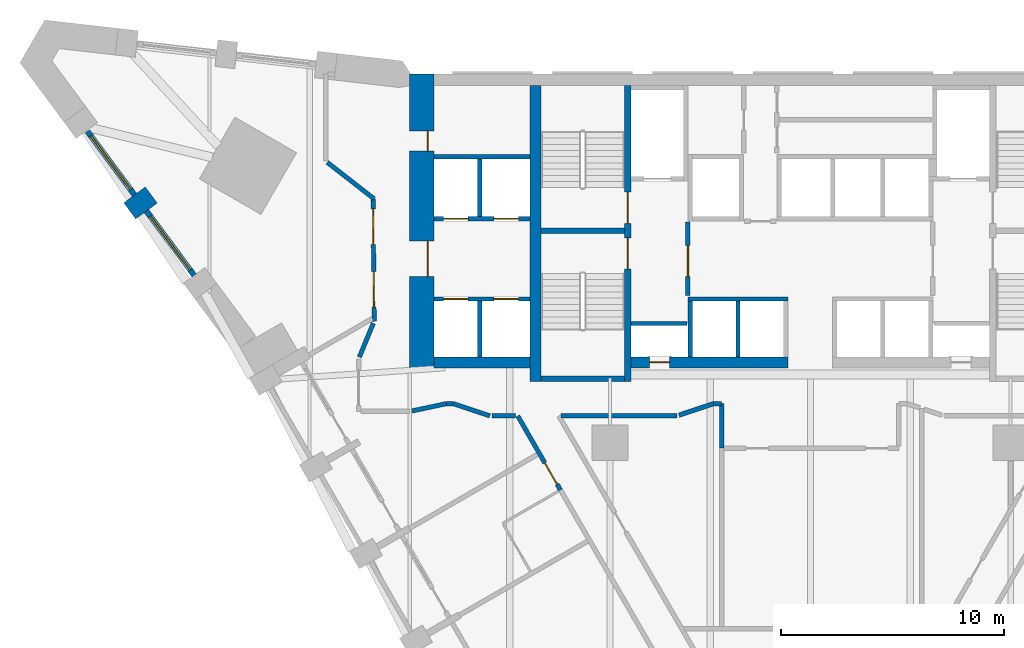
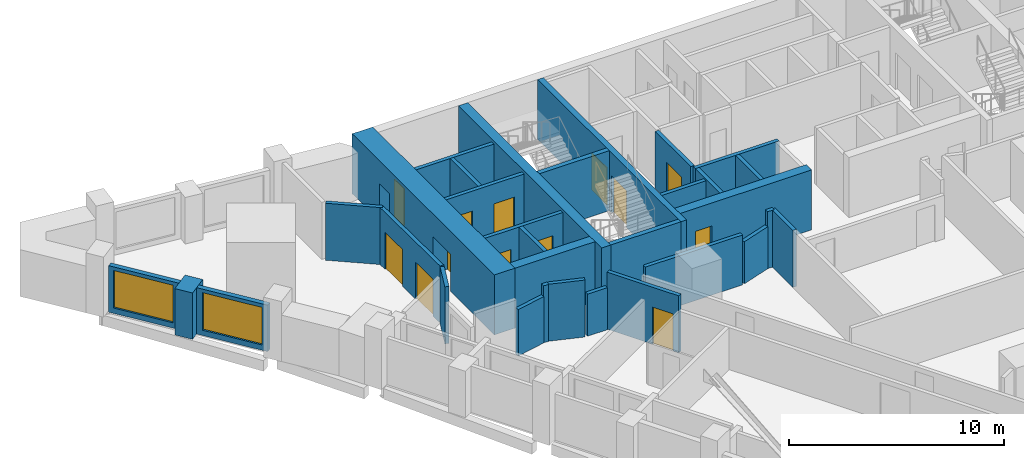
# One storey, part 5 of 10: 32 walls, 13 doors, 2 windows, 15 openings.
"""IFC4 building model written with IfcOpenShell, lengths in metres."""

from ifc_helpers import new_model, si_unit, direction, frame, frame_2d, origin, place, context, subcontext, project, spatial, rectangle, extrude, material, layer, layer_set, type_object, element, fill, save


model = new_model("IFC4")

# Units and contexts
model_context = context("Model", 3, precision=1e-05, world=origin(), true_north=direction((0.0, 1.0)))
body_context = subcontext(model_context, "Body", "Model", "MODEL_VIEW")
ifc_project = project(units=[si_unit("LENGTHUNIT", "METRE"), si_unit("AREAUNIT", "SQUARE_METRE"), si_unit("VOLUMEUNIT", "CUBIC_METRE"), si_unit("PLANEANGLEUNIT", "RADIAN"), si_unit("MASSUNIT", "GRAM", prefix="KILO")], contexts=[model_context])

# Site, building, storey
site_placement = place(None, origin())
site = spatial("IfcSite", under=ifc_project, at=site_placement, CompositionType="ELEMENT")
building_placement = place(site_placement, origin())
building = spatial("IfcBuilding", under=site, at=building_placement, Name="Calabash Gate Tower", CompositionType="ELEMENT")
storey_placement = place(building_placement, frame((0.0, 0.0, 59.60009765625)))
storey = spatial("IfcBuildingStorey", under=building, at=storey_placement, Name="L10", CompositionType="ELEMENT", Elevation=59.60009765625)

# Wall
ifc_material_1 = material(Name="Terracotta brick masonry, exposed face", Category="masonry")
ifc_layer_1 = layer(ifc_material_1, 1.199951171875)
ifc_layer_set_1 = layer_set([ifc_layer_1], Name="Brick end wall 1200")
wall_type_1 = type_object("IfcWallType", Name="Brick end wall 1200", PredefinedType="SOLIDWALL", material=ifc_layer_set_1)
wall_1_placement = place(storey_placement, frame((-30.581787109375, 12.91015625, 0.0), z_axis=(0.0, 0.0, 1.0), x_axis=(0.803549985832, 0.595237280644, 0.0)))
element("IfcWall", 1, at=wall_1_placement, inside=storey, type_object=wall_type_1, Name="Brick pier S02 wedge7.1", PredefinedType="SOLIDWALL", context=body_context, shape_type="SweptSolid", body=[
    extrude(rectangle(XDim=1.2001953125, YDim=0.89990234375, at=frame_2d((0.60009765625, 0.0))), origin(), (0.0, 0.0, 1.0), 2.6298828125),
])

# Wall, openings, doors
ifc_material_2 = material(Name="Concrete C80/95", Category="concrete")
ifc_layer_2 = layer(ifc_material_2, 1.10009765625)
ifc_layer_set_2 = layer_set([ifc_layer_2], Name="Core wall 1100 Concrete C80/95")
wall_type_2 = type_object("IfcWallType", Name="Core wall 1100 Concrete C80/95", PredefinedType="SHEAR", material=ifc_layer_set_2)
wall_2_placement = place(storey_placement, frame((-17.449951171875, 5.8525390625, 0.0), z_axis=(0.0, 0.0, 1.0), x_axis=(0.0, 1.0, 0.0)))
wall_2 = element("IfcWall", 2, at=wall_2_placement, inside=storey, type_object=wall_type_2, Name="Core wall Z1-ENDW L10", PredefinedType="SHEAR", context=body_context, shape_type="SweptSolid", body=[
    extrude(rectangle(XDim=13.199951171875, YDim=1.10009765625, at=frame_2d((6.60009765625, 0.0))), origin(), (0.0, 0.0, 1.0), 3.39990234375),
])
opening_1_placement = place(wall_2_placement, frame((4.10009765625, 0.0, 0.0)))
opening_1 = element("IfcOpeningElement", 3, at=opening_1_placement, cuts=wall_2, Name="Opening H2-003", PredefinedType="OPENING", context=body_context, shape_type="SweptSolid", body=[
    extrude(rectangle(XDim=1.60009765625, YDim=2.10009765625, at=frame_2d((0.800048828125, 1.050048828125))), frame((0.0, 0.56005859375, 0.0), z_axis=(0.0, -1.0, 0.0), x_axis=(1.0, 0.0, 0.0)), (0.0, 0.0, 1.0), 1.1201171875),
])
opening_2_placement = place(wall_2_placement, frame((9.75, 0.0, 0.0)))
opening_2 = element("IfcOpeningElement", 4, at=opening_2_placement, cuts=wall_2, Name="Opening H2-004", PredefinedType="OPENING", context=body_context, shape_type="SweptSolid", body=[
    extrude(rectangle(XDim=0.89990234375, YDim=2.10009765625, at=frame_2d((0.449951171875, 1.050048828125))), frame((0.0, 0.56005859375, 0.0), z_axis=(0.0, -1.0, 0.0), x_axis=(1.0, 0.0, 0.0)), (0.0, 0.0, 1.0), 1.1201171875),
])
ifc_material_3 = material(Name="Steel fire door set with fire-resisting glazing", Category="steel")
door_type_1 = type_object("IfcDoorType", Name="Double fire door D08 1600x2100 FD60", OperationType="DOUBLE_DOOR_SINGLE_SWING", PredefinedType="DOOR", material=ifc_material_3)
door_1_placement = place(opening_1_placement, origin())
door_1 = element("IfcDoor", 5, at=door_1_placement, inside=storey, type_object=door_type_1, Name="Low-rise Lift Lobby W door", OperationType="DOUBLE_DOOR_SINGLE_SWING", OverallHeight=2.10009765625, OverallWidth=1.60009765625, PredefinedType="DOOR", context=body_context, shape_type="SweptSolid", body=[
    extrude(rectangle(XDim=1.60009765625, YDim=2.10009765625, at=frame_2d((0.800048828125, 1.050048828125))), frame((0.0, -0.22509765625, 0.0), z_axis=(0.0, -1.0, 0.0), x_axis=(1.0, 0.0, 0.0)), (0.0, 0.0, 1.0), 0.050048828125),
])
fill(opening_1, door_1)
ifc_material_4 = material(Name="Steel fire door set with fire-resisting glazing", Category="steel")
door_type_2 = type_object("IfcDoorType", Name="Fire door D06 900x2100 FD60", OperationType="NOTDEFINED", PredefinedType="DOOR", material=ifc_material_4)
door_2_placement = place(opening_2_placement, origin())
door_2 = element("IfcDoor", 6, at=door_2_placement, inside=storey, type_object=door_type_2, Name="Luggage Store door", OperationType="SINGLE_SWING_RIGHT", OverallHeight=2.10009765625, OverallWidth=0.89990234375, PredefinedType="DOOR", context=body_context, shape_type="SweptSolid", body=[
    extrude(rectangle(XDim=0.89990234375, YDim=2.10009765625, at=frame_2d((0.449951171875, 1.050048828125))), frame((0.0, -0.22509765625, 0.0), z_axis=(0.0, -1.0, 0.0), x_axis=(1.0, 0.0, 0.0)), (0.0, 0.0, 1.0), 0.050048828125),
])
fill(opening_2, door_2)

# Walls
ifc_material_5 = material(Name="Concrete C80/95", Category="concrete")
ifc_layer_3 = layer(ifc_material_5, 0.25)
ifc_layer_set_3 = layer_set([ifc_layer_3], Name="Core wall 250 Concrete C80/95")
wall_type_3 = type_object("IfcWallType", Name="Core wall 250 Concrete C80/95", PredefinedType="SHEAR", material=ifc_layer_set_3)
for number, where, z_axis, x_axis, name in (
    (7, (-12.10009765625, 12.027587890625, 0.0), (0.0, 0.0, 1.0), (1.0, 0.0, 0.0), "Core wall Z1-MIDW L10"),
    (8, (-12.10009765625, 5.377685546875, 0.0), (0.0, 0.0, 1.0), (1.0, 0.0, 0.0), "Core wall Z1-SSW L10"),
):
    element("IfcWall", number, at=place(storey_placement, frame(where, z_axis=z_axis, x_axis=x_axis)), inside=storey, type_object=wall_type_3, Name=name, PredefinedType="SHEAR", context=body_context, shape_type="SweptSolid", body=[
        extrude(rectangle(XDim=3.75, YDim=0.25, at=frame_2d((1.875, 0.0))), origin(), (0.0, 0.0, 1.0), 3.39990234375),
    ])

# Wall, openings, doors
ifc_material_6 = material(Name="Concrete C80/95", Category="concrete")
ifc_layer_4 = layer(ifc_material_6, 0.300048828125)
ifc_layer_set_4 = layer_set([ifc_layer_4], Name="Core wall 300 Concrete C80/95")
wall_type_4 = type_object("IfcWallType", Name="Core wall 300 Concrete C80/95", PredefinedType="SHEAR", material=ifc_layer_set_4)
wall_3_placement = place(storey_placement, frame((-8.199951171875, 5.252685546875, 0.0), z_axis=(0.0, 0.0, 1.0), x_axis=(0.0, 1.0, 0.0)))
wall_3 = element("IfcWall", 9, at=wall_3_placement, inside=storey, type_object=wall_type_4, Name="Core wall Z1-PARTW L10", PredefinedType="SHEAR", context=body_context, shape_type="SweptSolid", body=[
    extrude(rectangle(XDim=13.2998046875, YDim=0.300048828125, at=frame_2d((6.64990234375, 0.0))), origin(), (0.0, 0.0, 1.0), 3.39990234375),
])
opening_3_placement = place(wall_3_placement, frame((7.10009765625, 0.0, 0.0)))
opening_3 = element("IfcOpeningElement", 10, at=opening_3_placement, cuts=wall_3, Name="Opening H2-013", PredefinedType="OPENING", context=body_context, shape_type="SweptSolid", body=[
    extrude(rectangle(XDim=1.39990234375, YDim=2.10009765625, at=frame_2d((0.699951171875, 1.050048828125))), frame((0.0, 0.159912109375, 0.0), z_axis=(0.0, -1.0, 0.0), x_axis=(1.0, 0.0, 0.0)), (0.0, 0.0, 1.0), 0.320068359375),
])
opening_4_placement = place(wall_3_placement, frame((5.050048828125, 0.0, 0.0)))
opening_4 = element("IfcOpeningElement", 11, at=opening_4_placement, cuts=wall_3, Name="Opening H2-014", PredefinedType="OPENING", context=body_context, shape_type="SweptSolid", body=[
    extrude(rectangle(XDim=1.39990234375, YDim=2.10009765625, at=frame_2d((0.699951171875, 1.050048828125))), frame((0.0, 0.159912109375, 0.0), z_axis=(0.0, -1.0, 0.0), x_axis=(1.0, 0.0, 0.0)), (0.0, 0.0, 1.0), 0.320068359375),
])
ifc_material_7 = material(Name="Steel fire door set with fire-resisting glazing", Category="steel")
door_type_3 = type_object("IfcDoorType", Name="Fire door D05 1400x2100 FD90", OperationType="NOTDEFINED", PredefinedType="DOOR", material=ifc_material_7)
door_3_placement = place(opening_3_placement, origin())
door_3 = element("IfcDoor", 12, at=door_3_placement, inside=storey, type_object=door_type_3, Name="Exit stair door ST1", OperationType="SINGLE_SWING_LEFT", OverallHeight=2.10009765625, OverallWidth=1.39990234375, PredefinedType="DOOR", context=body_context, shape_type="SweptSolid", body=[
    extrude(rectangle(XDim=1.39990234375, YDim=2.10009765625, at=frame_2d((0.699951171875, 1.050048828125))), frame((0.0, 0.02490234375, 0.0), z_axis=(0.0, -1.0, 0.0), x_axis=(1.0, 0.0, 0.0)), (0.0, 0.0, 1.0), 0.050048828125),
])
fill(opening_3, door_3)
door_4_placement = place(opening_4_placement, origin())
door_4 = element("IfcDoor", 13, at=door_4_placement, inside=storey, type_object=door_type_3, Name="Exit stair door ST2", OperationType="SINGLE_SWING_LEFT", OverallHeight=2.10009765625, OverallWidth=1.39990234375, PredefinedType="DOOR", context=body_context, shape_type="SweptSolid", body=[
    extrude(rectangle(XDim=1.39990234375, YDim=2.10009765625, at=frame_2d((0.699951171875, 1.050048828125))), frame((0.0, 0.02490234375, 0.0), z_axis=(0.0, -1.0, 0.0), x_axis=(1.0, 0.0, 0.0)), (0.0, 0.0, 1.0), 0.050048828125),
])
fill(opening_4, door_4)

# Wall
ifc_material_8 = material(Name="Concrete C80/95", Category="concrete")
ifc_layer_5 = layer(ifc_material_8, 0.5)
ifc_layer_set_5 = layer_set([ifc_layer_5], Name="Core wall 500 Concrete C80/95")
wall_type_5 = type_object("IfcWallType", Name="Core wall 500 Concrete C80/95", PredefinedType="SHEAR", material=ifc_layer_set_5)
wall_4_placement = place(storey_placement, frame((-12.35009765625, 5.252685546875, 0.0), z_axis=(0.0, 0.0, 1.0), x_axis=(0.0, 1.0, 0.0)))
element("IfcWall", 14, at=wall_4_placement, inside=storey, type_object=wall_type_5, Name="Core wall Z1-COLW L10", PredefinedType="SHEAR", context=body_context, shape_type="SweptSolid", body=[
    extrude(rectangle(XDim=13.2998046875, YDim=0.5, at=frame_2d((6.64990234375, 0.0))), origin(), (0.0, 0.0, 1.0), 3.39990234375),
])

# Wall, opening, door
wall_5_placement = place(storey_placement, frame((-8.050048828125, 6.1025390625, 0.0), z_axis=(0.0, 0.0, 1.0), x_axis=(1.0, 0.0, 0.0)))
wall_5 = element("IfcWall", 15, at=wall_5_placement, inside=storey, type_object=wall_type_5, Name="Core wall Z1-SA L10", PredefinedType="SHEAR", context=body_context, shape_type="SweptSolid", body=[
    extrude(rectangle(XDim=7.050048828125, YDim=0.5, at=frame_2d((3.52490234375, 0.0))), origin(), (0.0, 0.0, 1.0), 3.39990234375),
])
opening_5_placement = place(wall_5_placement, frame((0.824951171875, 0.0, 0.0)))
opening_5 = element("IfcOpeningElement", 16, at=opening_5_placement, cuts=wall_5, Name="Opening H2-012", PredefinedType="OPENING", context=body_context, shape_type="SweptSolid", body=[
    extrude(rectangle(XDim=0.89990234375, YDim=2.10009765625, at=frame_2d((0.449951171875, 1.050048828125))), frame((0.0, 0.260009765625, 0.0), z_axis=(0.0, -1.0, 0.0), x_axis=(1.0, 0.0, 0.0)), (0.0, 0.0, 1.0), 0.52001953125),
])
ifc_material_9 = material(Name="Steel fire door set with fire-resisting glazing", Category="steel")
door_type_4 = type_object("IfcDoorType", Name="Fire door D07 900x2100 FD90", OperationType="NOTDEFINED", PredefinedType="DOOR", material=ifc_material_9)
door_5_placement = place(opening_5_placement, origin())
door_5 = element("IfcDoor", 17, at=door_5_placement, inside=storey, type_object=door_type_4, Name="Electrical Riser W door", OperationType="SINGLE_SWING_LEFT", OverallHeight=2.10009765625, OverallWidth=0.89990234375, PredefinedType="DOOR", context=body_context, shape_type="SweptSolid", body=[
    extrude(rectangle(XDim=0.89990234375, YDim=2.10009765625, at=frame_2d((0.449951171875, 1.050048828125))), frame((0.0, 0.02490234375, 0.0), z_axis=(0.0, -1.0, 0.0), x_axis=(1.0, 0.0, 0.0)), (0.0, 0.0, 1.0), 0.050048828125),
])
fill(opening_5, door_5)

# Wall
wall_6_placement = place(storey_placement, frame((-12.60009765625, 6.1025390625, 0.0), z_axis=(0.0, 0.0, 1.0), x_axis=(-1.0, 0.0, 0.0)))
element("IfcWall", 18, at=wall_6_placement, inside=storey, type_object=wall_type_5, Name="Core wall Z1-SW L10", PredefinedType="SHEAR", context=body_context, shape_type="SweptSolid", body=[
    extrude(rectangle(XDim=4.2998046875, YDim=0.5, at=frame_2d((2.14990234375, 0.0))), origin(), (0.0, 0.0, 1.0), 3.39990234375),
])

# Wall, opening, door
ifc_material_10 = material(Name="Gypsum board on steel studs, mineral wool", Category="steel")
ifc_layer_6 = layer(ifc_material_10, 0.199951171875)
ifc_layer_set_6 = layer_set([ifc_layer_6], Name="Partition 200 gypsum board EI 60")
wall_type_6 = type_object("IfcWallType", Name="Partition 200 gypsum board EI 60", PredefinedType="PARTITIONING", material=ifc_layer_set_6)
wall_7_placement = place(storey_placement, frame((-13.1474609375, 3.699462890625, 0.0), z_axis=(0.0, 0.0, 1.0), x_axis=(0.499337423021, -0.866407604982, 0.0)))
wall_7 = element("IfcWall", 19, at=wall_7_placement, inside=storey, type_object=wall_type_6, Name="Partition", PredefinedType="PARTITIONING", context=body_context, shape_type="SweptSolid", body=[
    extrude(rectangle(XDim=3.843017578125, YDim=0.199951171875, at=frame_2d((1.92138671875, 0.0))), origin(), (0.0, 0.0, 1.0), 3.22998046875),
])
opening_6_placement = place(wall_7_placement, frame((2.443115234375, 0.0, 0.0)))
opening_6 = element("IfcOpeningElement", 20, at=opening_6_placement, cuts=wall_7, Name="Opening 09-11-001", PredefinedType="OPENING", context=body_context, shape_type="SweptSolid", body=[
    extrude(rectangle(XDim=1.10009765625, YDim=2.10009765625, at=frame_2d((0.550048828125, 1.050048828125))), frame((0.0, 0.10986328125, 0.0), z_axis=(0.0, -1.0, 0.0), x_axis=(1.0, 0.0, 0.0)), (0.0, 0.0, 1.0), 0.219970703125),
])
ifc_material_11 = material(Name="Steel fire door set with fire-resisting glazing", Category="steel")
door_type_5 = type_object("IfcDoorType", Name="GD2 Accessible guest room entrance door 1100x2100", OperationType="NOTDEFINED", PredefinedType="DOOR", material=ifc_material_11)
door_6_placement = place(opening_6_placement, origin())
door_6 = element("IfcDoor", 21, at=door_6_placement, inside=storey, type_object=door_type_5, Name="Accessible guest room entrance door", OperationType="SINGLE_SWING_RIGHT", OverallHeight=2.10009765625, OverallWidth=1.10009765625, PredefinedType="DOOR", context=body_context, shape_type="SweptSolid", body=[
    extrude(rectangle(XDim=1.10009765625, YDim=2.10009765625, at=frame_2d((0.550048828125, 1.050048828125))), frame((0.0, 0.02490234375, 0.0), z_axis=(0.0, -1.0, 0.0), x_axis=(1.0, 0.0, 0.0)), (0.0, 0.0, 1.0), 0.050048828125),
])
fill(opening_6, door_6)

# Walls
wall_8_placement = place(storey_placement, frame((-3.98193359375, 4.25048828125, 0.0), z_axis=(0.0, 0.0, 1.0), x_axis=(0.000855327155, -0.999999634208, 0.0)))
element("IfcWall", 22, at=wall_8_placement, inside=storey, type_object=wall_type_6, Name="Partition", PredefinedType="PARTITIONING", context=body_context, shape_type="SweptSolid", body=[
    extrude(rectangle(XDim=1.998046875, YDim=0.199951171875, at=frame_2d((0.9990234375, 0.0))), origin(), (0.0, 0.0, 1.0), 3.22998046875),
])
wall_9_placement = place(storey_placement, frame((-16.057861328125, 4.252197265625, 0.0), z_axis=(0.0, 0.0, 1.0), x_axis=(0.948655351627, -0.316311592943, 0.0)))
element("IfcWall", 23, at=wall_9_placement, inside=storey, type_object=wall_type_6, Name="Partition", PredefinedType="PARTITIONING", context=body_context, shape_type="SweptSolid", body=[
    extrude(rectangle(XDim=1.747314453125, YDim=0.199951171875, at=frame_2d((0.87353515625, 0.0))), origin(), (0.0, 0.0, 1.0), 3.22998046875),
])
wall_10_placement = place(storey_placement, frame((-14.300048828125, 3.699462890625, 0.0), z_axis=(0.0, 0.0, 1.0), x_axis=(1.0, 0.0, 0.0)))
element("IfcWall", 24, at=wall_10_placement, inside=storey, type_object=wall_type_6, Name="Partition", PredefinedType="PARTITIONING", context=body_context, shape_type="SweptSolid", body=[
    extrude(rectangle(XDim=1.052490234375, YDim=0.199951171875, at=frame_2d((0.5263671875, 0.0))), origin(), (0.0, 0.0, 1.0), 2.384033203125),
])
wall_11_placement = place(storey_placement, frame((-11.199462890625, 3.69970703125, 0.0), z_axis=(0.0, 0.0, 1.0), x_axis=(1.0, 0.0, 0.0)))
element("IfcWall", 25, at=wall_11_placement, inside=storey, type_object=wall_type_6, Name="Partition", PredefinedType="PARTITIONING", context=body_context, shape_type="SweptSolid", body=[
    extrude(rectangle(XDim=5.199462890625, YDim=0.199951171875, at=frame_2d((2.599609375, 0.0))), origin(), (0.0, 0.0, 1.0), 2.83154296875),
])
wall_12_placement = place(storey_placement, frame((-17.902099609375, 3.92041015625, 0.0), z_axis=(0.0, 0.0, 1.0), x_axis=(0.978117199083, 0.208054667953, 0.0)))
element("IfcWall", 26, at=wall_12_placement, inside=storey, type_object=wall_type_6, Name="Partition", PredefinedType="PARTITIONING", context=body_context, shape_type="SweptSolid", body=[
    extrude(rectangle(XDim=1.5947265625, YDim=0.199951171875, at=frame_2d((0.79736328125, 0.0))), origin(), (0.0, 0.0, 1.0), 2.6279296875),
])
wall_13_placement = place(storey_placement, frame((-16.34228515625, 4.252197265625, 0.0), z_axis=(0.0, 0.0, 1.0), x_axis=(1.0, 0.0, 0.0)))
element("IfcWall", 27, at=wall_13_placement, inside=storey, type_object=wall_type_6, Name="Partition", PredefinedType="PARTITIONING", context=body_context, shape_type="SweptSolid", body=[
    extrude(rectangle(XDim=0.284423828125, YDim=0.199951171875, at=frame_2d((0.14208984375, 0.0))), origin(), (0.0, 0.0, 1.0), 3.22998046875),
])
wall_14_placement = place(storey_placement, frame((-5.905029296875, 3.7314453125, 0.0), z_axis=(0.0, 0.0, 1.0), x_axis=(0.948668476379, 0.316272227557, 0.0)))
element("IfcWall", 28, at=wall_14_placement, inside=storey, type_object=wall_type_6, Name="Partition", PredefinedType="PARTITIONING", context=body_context, shape_type="SweptSolid", body=[
    extrude(rectangle(XDim=1.647216796875, YDim=0.199951171875, at=frame_2d((0.82373046875, 0.0))), origin(), (0.0, 0.0, 1.0), 2.384033203125),
])
wall_15_placement = place(storey_placement, frame((-4.34228515625, 4.25244140625, 0.0), z_axis=(0.0, 0.0, 1.0), x_axis=(0.99998531183, -0.00541997459, 0.0)))
element("IfcWall", 29, at=wall_15_placement, inside=storey, type_object=wall_type_6, Name="Partition", PredefinedType="PARTITIONING", context=body_context, shape_type="SweptSolid", body=[
    extrude(rectangle(XDim=0.3603515625, YDim=0.199951171875, at=frame_2d((0.18017578125, 0.0))), origin(), (0.0, 0.0, 1.0), 3.22998046875),
])
wall_16_placement = place(storey_placement, frame((-20.262451171875, 6.34521484375, 0.0), z_axis=(0.0, 0.0, 1.0), x_axis=(0.380749805254, 0.924678098475, 0.0)))
element("IfcWall", 30, at=wall_16_placement, inside=storey, type_object=wall_type_6, Name="Partition", PredefinedType="PARTITIONING", context=body_context, shape_type="SweptSolid", body=[
    extrude(rectangle(XDim=1.63818359375, YDim=0.199951171875, at=frame_2d((0.819091796875, 0.0))), origin(), (0.0, 0.0, 1.0), 3.22998046875),
])

# Wall, openings, doors
wall_17_placement = place(storey_placement, frame((-19.6494140625, 13.451904296875, 0.0), z_axis=(0.0, 0.0, 1.0), x_axis=(0.00887867333, -0.999960583803, 0.0)))
wall_17 = element("IfcWall", 31, at=wall_17_placement, inside=storey, type_object=wall_type_6, Name="Partition", PredefinedType="PARTITIONING", context=body_context, shape_type="SweptSolid", body=[
    extrude(rectangle(XDim=5.49951171875, YDim=0.199951171875, at=frame_2d((2.749755859375, 0.0))), origin(), (0.0, 0.0, 1.0), 3.22998046875),
])
opening_7_placement = place(wall_17_placement, frame((3.265625, 0.0, 0.0)))
opening_7 = element("IfcOpeningElement", 32, at=opening_7_placement, cuts=wall_17, Name="Opening 09-11-016", PredefinedType="OPENING", context=body_context, shape_type="SweptSolid", body=[
    extrude(rectangle(XDim=1.60009765625, YDim=2.10009765625, at=frame_2d((0.800048828125, 1.050048828125))), frame((0.0, 0.10986328125, 0.0), z_axis=(0.0, -1.0, 0.0), x_axis=(1.0, 0.0, 0.0)), (0.0, 0.0, 1.0), 0.219970703125),
])
opening_8_placement = place(wall_17_placement, frame((0.4501953125, 0.0, 0.0)))
opening_8 = element("IfcOpeningElement", 33, at=opening_8_placement, cuts=wall_17, Name="Opening 09-11-017", PredefinedType="OPENING", context=body_context, shape_type="SweptSolid", body=[
    extrude(rectangle(XDim=1.60009765625, YDim=2.10009765625, at=frame_2d((0.800048828125, 1.050048828125))), frame((0.0, 0.10986328125, 0.0), z_axis=(0.0, -1.0, 0.0), x_axis=(1.0, 0.0, 0.0)), (0.0, 0.0, 1.0), 0.219970703125),
])
ifc_material_12 = material(Name="Steel fire door set with fire-resisting glazing", Category="steel")
door_type_6 = type_object("IfcDoorType", Name="LD1 Lounge double door 1600x2100", OperationType="NOTDEFINED", PredefinedType="DOOR", material=ifc_material_12)
door_7_placement = place(opening_7_placement, origin())
door_7 = element("IfcDoor", 34, at=door_7_placement, inside=storey, type_object=door_type_6, Name="Lounge double door", OperationType="DOUBLE_DOOR_SINGLE_SWING", OverallHeight=2.10009765625, OverallWidth=1.60009765625, PredefinedType="DOOR", context=body_context, shape_type="SweptSolid", body=[
    extrude(rectangle(XDim=1.60009765625, YDim=2.10009765625, at=frame_2d((0.800048828125, 1.050048828125))), frame((0.0, 0.02490234375, 0.0), z_axis=(0.0, -1.0, 0.0), x_axis=(1.0, 0.0, 0.0)), (0.0, 0.0, 1.0), 0.050048828125),
])
fill(opening_7, door_7)
door_8_placement = place(opening_8_placement, origin())
door_8 = element("IfcDoor", 35, at=door_8_placement, inside=storey, type_object=door_type_6, Name="Lounge double door", OperationType="DOUBLE_DOOR_SINGLE_SWING", OverallHeight=2.10009765625, OverallWidth=1.60009765625, PredefinedType="DOOR", context=body_context, shape_type="SweptSolid", body=[
    extrude(rectangle(XDim=1.60009765625, YDim=2.10009765625, at=frame_2d((0.800048828125, 1.050048828125))), frame((0.0, 0.02490234375, 0.0), z_axis=(0.0, -1.0, 0.0), x_axis=(1.0, 0.0, 0.0)), (0.0, 0.0, 1.0), 0.050048828125),
])
fill(opening_8, door_8)

# Wall
wall_18_placement = place(storey_placement, frame((-21.703369140625, 15.0908203125, 0.0), z_axis=(0.0, 0.0, 1.0), x_axis=(0.788819319895, -0.614625154513, 0.0)))
element("IfcWall", 36, at=wall_18_placement, inside=storey, type_object=wall_type_6, Name="Partition", PredefinedType="PARTITIONING", context=body_context, shape_type="SweptSolid", body=[
    extrude(rectangle(XDim=2.665771484375, YDim=0.199951171875, at=frame_2d((1.3330078125, 0.0))), origin(), (0.0, 0.0, 1.0), 3.22998046875),
])

# Wall, opening, window
ifc_material_13 = material(Name="Aluminium framed window wall with insulated spandrel", Category="aluminium")
ifc_layer_7 = layer(ifc_material_13, 0.25)
ifc_layer_set_7 = layer_set([ifc_layer_7], Name="Prow window wall 250")
wall_type_7 = type_object("IfcWallType", Name="Prow window wall 250", PredefinedType="ELEMENTEDWALL", material=ifc_layer_set_7)
wall_19_placement = place(storey_placement, frame((-32.480712890625, 16.481201171875, 0.0), z_axis=(0.0, 0.0, 1.0), x_axis=(0.595304805086, -0.803499962067, 0.0)))
wall_19 = element("IfcWall", 37, at=wall_19_placement, inside=storey, type_object=wall_type_7, Name="Prow window wall S02 wedge7.1", PredefinedType="ELEMENTEDWALL", context=body_context, shape_type="SweptSolid", body=[
    extrude(rectangle(XDim=3.552001953125, YDim=0.25, at=frame_2d((1.77587890625, 0.0))), origin(), (0.0, 0.0, 1.0), 2.6298828125),
])
opening_9_placement = place(wall_19_placement, frame((0.25, 0.0, 0.300048828125)))
opening_9 = element("IfcOpeningElement", 38, at=opening_9_placement, cuts=wall_19, Name="Opening WP1L-2130", PredefinedType="OPENING", context=body_context, shape_type="SweptSolid", body=[
    extrude(rectangle(XDim=3.0, YDim=2.1298828125, at=frame_2d((1.5, 1.06494140625))), frame((0.0, 0.135009765625, 0.0), z_axis=(0.0, -1.0, 0.0), x_axis=(1.0, 0.0, 0.0)), (0.0, 0.0, 1.0), 0.27001953125),
])
ifc_material_14 = material(Name="Anodised aluminium frame, bronze finish, impact-rated laminated clear glazing", Category="aluminium")
window_type = type_object("IfcWindowType", Name="Window WP1L 3000x2130", PartitioningType="DOUBLE_PANEL_VERTICAL", PredefinedType="WINDOW", material=ifc_material_14)
window_1_placement = place(opening_9_placement, origin())
window_1 = element("IfcWindow", 39, at=window_1_placement, inside=storey, type_object=window_type, Name="Prow window WP1L S02 wedge7.1", OverallHeight=2.1298828125, OverallWidth=3.0, PartitioningType="SINGLE_PANEL", PredefinedType="WINDOW", context=body_context, shape_type="SweptSolid", body=[
    extrude(rectangle(XDim=3.0, YDim=2.1298828125, at=frame_2d((1.5, 1.06494140625))), frame((0.0, 0.030029296875, 0.0), z_axis=(0.0, -1.0, 0.0), x_axis=(1.0, 0.0, 0.0)), (0.0, 0.0, 1.0), 0.06005859375),
])
fill(opening_9, window_1)

wall_20_placement = place(storey_placement, frame((-29.831787109375, 12.905517578125, 0.0), z_axis=(0.0, 0.0, 1.0), x_axis=(0.595302153335, -0.803501926715, 0.0)))
wall_20 = element("IfcWall", 40, at=wall_20_placement, inside=storey, type_object=wall_type_7, Name="Prow window wall S02 wedge7.2", PredefinedType="ELEMENTEDWALL", context=body_context, shape_type="SweptSolid", body=[
    extrude(rectangle(XDim=3.599853515625, YDim=0.25, at=frame_2d((1.7998046875, 0.0))), origin(), (0.0, 0.0, 1.0), 2.6298828125),
])
opening_10_placement = place(wall_20_placement, frame((0.300048828125, 0.0, 0.300048828125)))
opening_10 = element("IfcOpeningElement", 41, at=opening_10_placement, cuts=wall_20, Name="Opening WP1L-2130", PredefinedType="OPENING", context=body_context, shape_type="SweptSolid", body=[
    extrude(rectangle(XDim=3.0, YDim=2.1298828125, at=frame_2d((1.5, 1.06494140625))), frame((0.0, 0.135009765625, 0.0), z_axis=(0.0, -1.0, 0.0), x_axis=(1.0, 0.0, 0.0)), (0.0, 0.0, 1.0), 0.27001953125),
])
window_2_placement = place(opening_10_placement, origin())
window_2 = element("IfcWindow", 42, at=window_2_placement, inside=storey, type_object=window_type, Name="Prow window WP1L S02 wedge7.2", OverallHeight=2.1298828125, OverallWidth=3.0, PartitioningType="SINGLE_PANEL", PredefinedType="WINDOW", context=body_context, shape_type="SweptSolid", body=[
    extrude(rectangle(XDim=3.0, YDim=2.1298828125, at=frame_2d((1.5, 1.06494140625))), frame((0.0, 0.030029296875, 0.0), z_axis=(0.0, -1.0, 0.0), x_axis=(1.0, 0.0, 0.0)), (0.0, 0.0, 1.0), 0.06005859375),
])
fill(opening_10, window_2)

# Walls
ifc_material_15 = material(Name="Concrete C40/50", Category="concrete")
ifc_layer_8 = layer(ifc_material_15, 0.199951171875)
ifc_layer_set_8 = layer_set([ifc_layer_8], Name="Shaft wall 200 Concrete C40/50")
wall_type_8 = type_object("IfcWallType", Name="Shaft wall 200 Concrete C40/50", PredefinedType="SOLIDWALL", material=ifc_layer_set_8)
for number, where, z_axis, x_axis, name in (
    (43, (-14.85009765625, 6.3525390625, 0.0), (0.0, 0.0, 1.0), (0.0, 1.0, 0.0), "Shaft wall"),
    (44, (-5.39990234375, 6.3525390625, 0.0), (0.0, 0.0, 1.0), (0.0, 1.0, 0.0), "Shaft wall"),
    (45, (-3.25, 6.3525390625, 0.0), (0.0, 0.0, 1.0), (0.0, 1.0, 0.0), "Shaft wall"),
    (46, (-8.050048828125, 7.8525390625, 0.0), (0.0, 0.0, 1.0), (1.0, 0.0, 0.0), "Shaft wall"),
):
    element("IfcWall", number, at=place(storey_placement, frame(where, z_axis=z_axis, x_axis=x_axis)), inside=storey, type_object=wall_type_8, Name=name, PredefinedType="SOLIDWALL", context=body_context, shape_type="SweptSolid", body=[
        extrude(rectangle(XDim=2.5, YDim=0.199951171875, at=frame_2d((1.25, 0.0))), origin(), (0.0, 0.0, 1.0), 3.22998046875),
    ])

# Wall, openings, doors
wall_21_placement = place(storey_placement, frame((-16.89990234375, 8.95263671875, 0.0), z_axis=(0.0, 0.0, 1.0), x_axis=(1.0, 0.0, 0.0)))
wall_21 = element("IfcWall", 47, at=wall_21_placement, inside=storey, type_object=wall_type_8, Name="Shaft wall", PredefinedType="SOLIDWALL", context=body_context, shape_type="SweptSolid", body=[
    extrude(rectangle(XDim=4.2998046875, YDim=0.199951171875, at=frame_2d((2.14990234375, 0.0))), origin(), (0.0, 0.0, 1.0), 3.22998046875),
])
opening_11_placement = place(wall_21_placement, frame((2.675048828125, 0.0, 0.0)))
opening_11 = element("IfcOpeningElement", 48, at=opening_11_placement, cuts=wall_21, Name="Opening LD-LR1", PredefinedType="OPENING", context=body_context, shape_type="SweptSolid", body=[
    extrude(rectangle(XDim=1.10009765625, YDim=2.10009765625, at=frame_2d((0.550048828125, 1.050048828125))), frame((0.0, 0.10986328125, 0.0), z_axis=(0.0, -1.0, 0.0), x_axis=(1.0, 0.0, 0.0)), (0.0, 0.0, 1.0), 0.219970703125),
])
opening_12_placement = place(wall_21_placement, frame((0.425048828125, 0.0, 0.0)))
opening_12 = element("IfcOpeningElement", 49, at=opening_12_placement, cuts=wall_21, Name="Opening LD-LR2", PredefinedType="OPENING", context=body_context, shape_type="SweptSolid", body=[
    extrude(rectangle(XDim=1.10009765625, YDim=2.10009765625, at=frame_2d((0.550048828125, 1.050048828125))), frame((0.0, 0.10986328125, 0.0), z_axis=(0.0, -1.0, 0.0), x_axis=(1.0, 0.0, 0.0)), (0.0, 0.0, 1.0), 0.219970703125),
])
ifc_material_16 = material(Name="Stainless steel sliding door leaves", Category="steel")
door_type_7 = type_object("IfcDoorType", Name="Lift landing door LS1 1100x2100 FD90", OperationType="DOUBLE_DOOR_SLIDING", PredefinedType="DOOR", material=ifc_material_16)
door_9_placement = place(opening_11_placement, origin())
door_9 = element("IfcDoor", 50, at=door_9_placement, inside=storey, type_object=door_type_7, Name="Lift landing door LR1", OperationType="DOUBLE_DOOR_SLIDING", OverallHeight=2.10009765625, OverallWidth=1.10009765625, PredefinedType="DOOR", context=body_context, shape_type="SweptSolid", body=[
    extrude(rectangle(XDim=1.10009765625, YDim=2.10009765625, at=frame_2d((0.550048828125, 1.050048828125))), frame((0.0, 0.02490234375, 0.0), z_axis=(0.0, -1.0, 0.0), x_axis=(1.0, 0.0, 0.0)), (0.0, 0.0, 1.0), 0.050048828125),
])
fill(opening_11, door_9)
door_10_placement = place(opening_12_placement, origin())
door_10 = element("IfcDoor", 51, at=door_10_placement, inside=storey, type_object=door_type_7, Name="Lift landing door LR2", OperationType="DOUBLE_DOOR_SLIDING", OverallHeight=2.10009765625, OverallWidth=1.10009765625, PredefinedType="DOOR", context=body_context, shape_type="SweptSolid", body=[
    extrude(rectangle(XDim=1.10009765625, YDim=2.10009765625, at=frame_2d((0.550048828125, 1.050048828125))), frame((0.0, 0.02490234375, 0.0), z_axis=(0.0, -1.0, 0.0), x_axis=(1.0, 0.0, 0.0)), (0.0, 0.0, 1.0), 0.050048828125),
])
fill(opening_12, door_10)

# Wall
wall_22_placement = place(storey_placement, frame((-5.5, 8.95263671875, 0.0), z_axis=(0.0, 0.0, 1.0), x_axis=(1.0, 0.0, 0.0)))
element("IfcWall", 52, at=wall_22_placement, inside=storey, type_object=wall_type_8, Name="Shaft wall", PredefinedType="SOLIDWALL", context=body_context, shape_type="SweptSolid", body=[
    extrude(rectangle(XDim=4.5, YDim=0.199951171875, at=frame_2d((2.25, 0.0))), origin(), (0.0, 0.0, 1.0), 3.22998046875),
])

# Wall, opening, door
wall_23_placement = place(storey_placement, frame((-5.5, 9.1025390625, 0.0), z_axis=(0.0, 0.0, 1.0), x_axis=(0.0, 1.0, 0.0)))
wall_23 = element("IfcWall", 53, at=wall_23_placement, inside=storey, type_object=wall_type_8, Name="Shaft wall", PredefinedType="SOLIDWALL", context=body_context, shape_type="SweptSolid", body=[
    extrude(rectangle(XDim=3.300048828125, YDim=0.199951171875, at=frame_2d((1.64990234375, 0.0))), origin(), (0.0, 0.0, 1.0), 3.22998046875),
])
opening_13_placement = place(wall_23_placement, frame((0.85009765625, 0.0, 0.0)))
opening_13 = element("IfcOpeningElement", 54, at=opening_13_placement, cuts=wall_23, Name="Opening H2-007", PredefinedType="OPENING", context=body_context, shape_type="SweptSolid", body=[
    extrude(rectangle(XDim=1.39990234375, YDim=2.10009765625, at=frame_2d((0.699951171875, 1.050048828125))), frame((0.0, 0.10986328125, 0.0), z_axis=(0.0, -1.0, 0.0), x_axis=(1.0, 0.0, 0.0)), (0.0, 0.0, 1.0), 0.219970703125),
])
door_11_placement = place(opening_13_placement, origin())
door_11 = element("IfcDoor", 55, at=door_11_placement, inside=storey, type_object=door_type_3, Name="Firefighting Lobby W door", OperationType="SINGLE_SWING_RIGHT", OverallHeight=2.10009765625, OverallWidth=1.39990234375, PredefinedType="DOOR", context=body_context, shape_type="SweptSolid", body=[
    extrude(rectangle(XDim=1.39990234375, YDim=2.10009765625, at=frame_2d((0.699951171875, 1.050048828125))), frame((0.0, 0.02490234375, 0.0), z_axis=(0.0, -1.0, 0.0), x_axis=(1.0, 0.0, 0.0)), (0.0, 0.0, 1.0), 0.050048828125),
])
fill(opening_13, door_11)

# Wall, openings, doors
wall_24_placement = place(storey_placement, frame((-16.89990234375, 12.552490234375, 0.0), z_axis=(0.0, 0.0, 1.0), x_axis=(1.0, 0.0, 0.0)))
wall_24 = element("IfcWall", 56, at=wall_24_placement, inside=storey, type_object=wall_type_8, Name="Shaft wall", PredefinedType="SOLIDWALL", context=body_context, shape_type="SweptSolid", body=[
    extrude(rectangle(XDim=4.2998046875, YDim=0.199951171875, at=frame_2d((2.14990234375, 0.0))), origin(), (0.0, 0.0, 1.0), 3.22998046875),
])
opening_14_placement = place(wall_24_placement, frame((2.675048828125, 0.0, 0.0)))
opening_14 = element("IfcOpeningElement", 57, at=opening_14_placement, cuts=wall_24, Name="Opening LD-LR3", PredefinedType="OPENING", context=body_context, shape_type="SweptSolid", body=[
    extrude(rectangle(XDim=1.10009765625, YDim=2.10009765625, at=frame_2d((0.550048828125, 1.050048828125))), frame((0.0, 0.10986328125, 0.0), z_axis=(0.0, -1.0, 0.0), x_axis=(1.0, 0.0, 0.0)), (0.0, 0.0, 1.0), 0.219970703125),
])
opening_15_placement = place(wall_24_placement, frame((0.425048828125, 0.0, 0.0)))
opening_15 = element("IfcOpeningElement", 58, at=opening_15_placement, cuts=wall_24, Name="Opening LD-LR4", PredefinedType="OPENING", context=body_context, shape_type="SweptSolid", body=[
    extrude(rectangle(XDim=1.10009765625, YDim=2.10009765625, at=frame_2d((0.550048828125, 1.050048828125))), frame((0.0, 0.10986328125, 0.0), z_axis=(0.0, -1.0, 0.0), x_axis=(1.0, 0.0, 0.0)), (0.0, 0.0, 1.0), 0.219970703125),
])
door_12_placement = place(opening_14_placement, origin())
door_12 = element("IfcDoor", 59, at=door_12_placement, inside=storey, type_object=door_type_7, Name="Lift landing door LR3", OperationType="DOUBLE_DOOR_SLIDING", OverallHeight=2.10009765625, OverallWidth=1.10009765625, PredefinedType="DOOR", context=body_context, shape_type="SweptSolid", body=[
    extrude(rectangle(XDim=1.10009765625, YDim=2.10009765625, at=frame_2d((0.550048828125, 1.050048828125))), frame((0.0, 0.02490234375, 0.0), z_axis=(0.0, -1.0, 0.0), x_axis=(1.0, 0.0, 0.0)), (0.0, 0.0, 1.0), 0.050048828125),
])
fill(opening_14, door_12)
door_13_placement = place(opening_15_placement, origin())
door_13 = element("IfcDoor", 60, at=door_13_placement, inside=storey, type_object=door_type_7, Name="Lift landing door LR4", OperationType="DOUBLE_DOOR_SLIDING", OverallHeight=2.10009765625, OverallWidth=1.10009765625, PredefinedType="DOOR", context=body_context, shape_type="SweptSolid", body=[
    extrude(rectangle(XDim=1.10009765625, YDim=2.10009765625, at=frame_2d((0.550048828125, 1.050048828125))), frame((0.0, 0.02490234375, 0.0), z_axis=(0.0, -1.0, 0.0), x_axis=(1.0, 0.0, 0.0)), (0.0, 0.0, 1.0), 0.050048828125),
])
fill(opening_15, door_13)

# Walls
wall_25_placement = place(storey_placement, frame((-14.85009765625, 12.652587890625, 0.0), z_axis=(0.0, 0.0, 1.0), x_axis=(0.0, 1.0, 0.0)))
element("IfcWall", 61, at=wall_25_placement, inside=storey, type_object=wall_type_8, Name="Shaft wall", PredefinedType="SOLIDWALL", context=body_context, shape_type="SweptSolid", body=[
    extrude(rectangle(XDim=2.60009765625, YDim=0.199951171875, at=frame_2d((1.300048828125, 0.0))), origin(), (0.0, 0.0, 1.0), 3.22998046875),
])
wall_26_placement = place(storey_placement, frame((-16.89990234375, 15.3525390625, 0.0), z_axis=(0.0, 0.0, 1.0), x_axis=(1.0, 0.0, 0.0)))
element("IfcWall", 62, at=wall_26_placement, inside=storey, type_object=wall_type_8, Name="Shaft wall", PredefinedType="SOLIDWALL", context=body_context, shape_type="SweptSolid", body=[
    extrude(rectangle(XDim=4.2998046875, YDim=0.199951171875, at=frame_2d((2.14990234375, 0.0))), origin(), (0.0, 0.0, 1.0), 3.22998046875),
])

save(model, "model.ifc")
